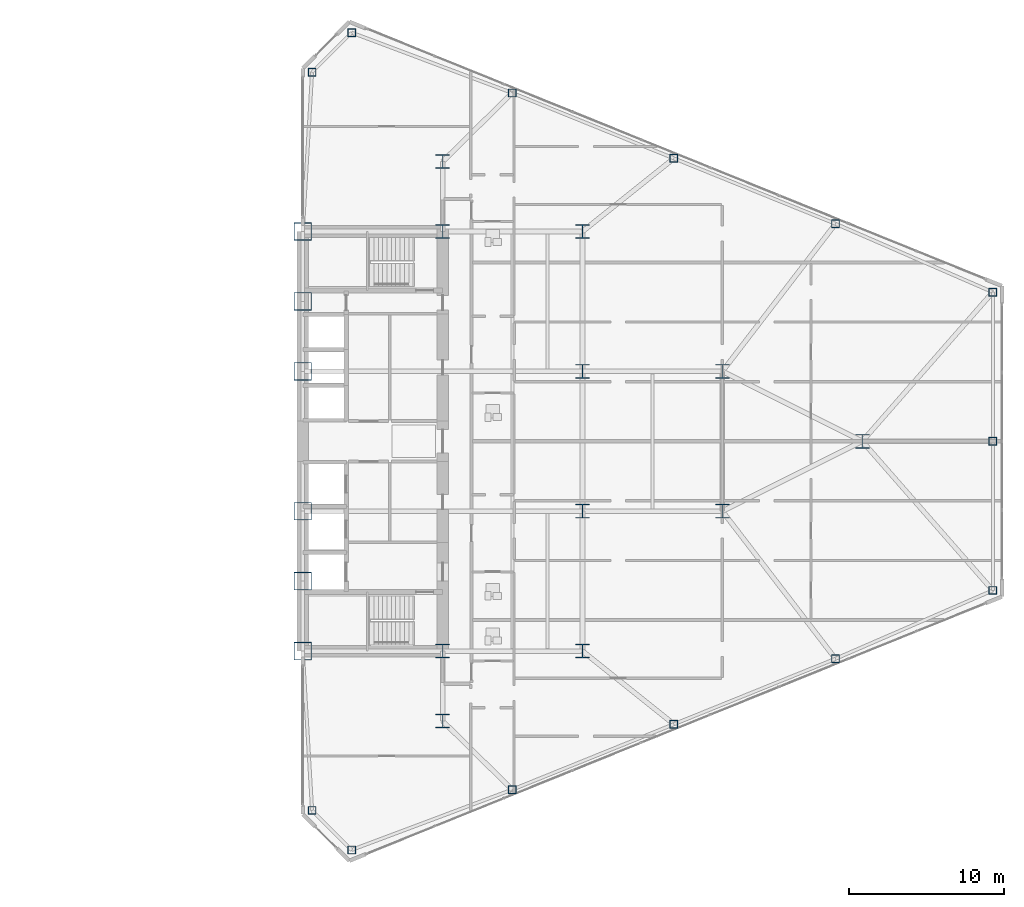
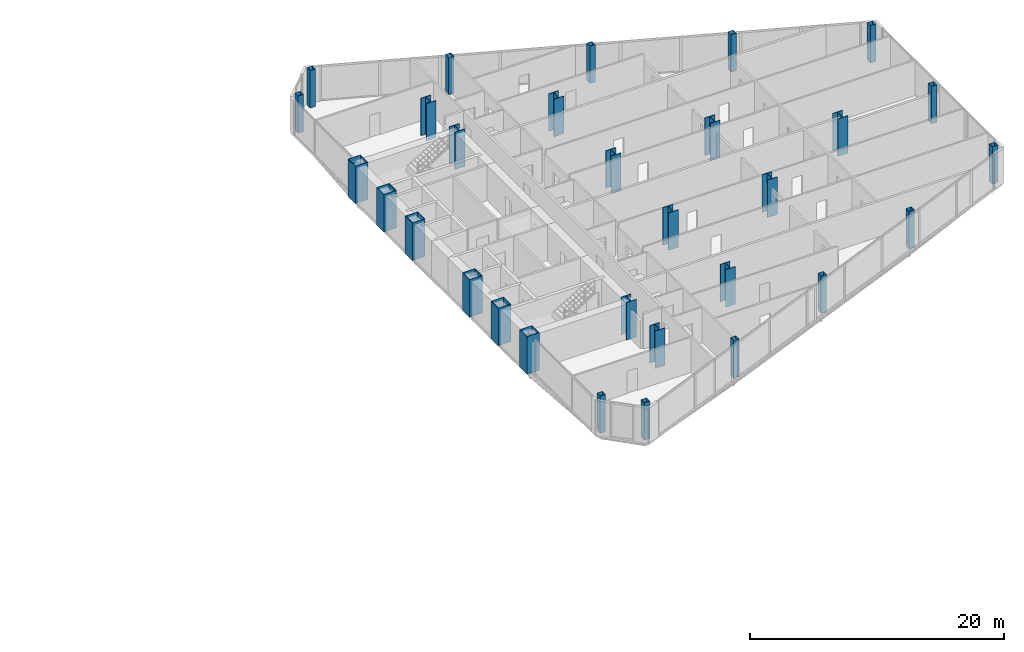
# One storey, part 2 of 25: 30 columns.
"""IFC4 building model written with IfcOpenShell, lengths in metres."""

import ifcopenshell
import ifcopenshell.guid

model = None  # the IFC model being written
_history = None  # IfcOwnerHistory: only IFC2X3 demands one
_inside = {}  # id of a spatial element -> (the spatial element, [elements in it])
_under = {}  # id of a project, library or spatial element -> (it, [spatial elements below it])
_declared = {}  # id of a project -> (the project, [libraries it declares])
_typed = {}  # id of a type object -> (the type object, [elements of that type])
_made_of = {}  # id of a material, layer set ... -> (it, [elements and type objects made of it])


def new_model(schema):
    """Start an empty IFC model of exactly this schema.

    Asked for "IFC4X3", IfcOpenShell would pick the latest addendum, in which some entities
    have other attributes; the version numbers below select the first issue.
    IFC2X3 requires an IfcOwnerHistory on every rooted entity: one is made here for all.
    """
    global model, _history
    if schema == "IFC4X3":
        model = ifcopenshell.file(schema_version=(4, 3, 0, 0))
    else:
        model = ifcopenshell.file(schema=schema)
    _inside.clear()
    _under.clear()
    _declared.clear()
    _typed.clear()
    _made_of.clear()
    _history = None
    if model.schema == "IFC2X3":
        org = make("IfcOrganization", Name="unknown")
        user = make(
            "IfcPersonAndOrganization",
            ThePerson=make("IfcPerson", FamilyName="unknown"),
            TheOrganization=org,
        )
        app = make(
            "IfcApplication",
            ApplicationDeveloper=org,
            Version="unknown",
            ApplicationFullName="unknown",
            ApplicationIdentifier="unknown",
        )
        _history = make(
            "IfcOwnerHistory",
            OwningUser=user,
            OwningApplication=app,
            ChangeAction="ADDED",
            CreationDate=0,
        )
    return model


def make(cls, **values):
    """One entity of the class cls with the attributes given. An attribute that is None is left unset."""
    return model.create_entity(
        cls, **{name: value for name, value in values.items() if value is not None}
    )


def rooted(cls, **values):
    """An entity with a GlobalId (a new one), such as an element, a storey or a relation."""
    return make(cls, GlobalId=ifcopenshell.guid.new(), OwnerHistory=_history, **values)


def si_unit(unit_type, name, prefix=None):
    """IfcSIUnit, for example si_unit("LENGTHUNIT", "METRE", prefix="MILLI")."""
    return make("IfcSIUnit", UnitType=unit_type, Prefix=prefix, Name=name)


def assignment(units):
    """IfcUnitAssignment: the units of a project."""
    return None if units is None else make("IfcUnitAssignment", Units=units)


def point(xyz):
    """IfcCartesianPoint."""
    return None if xyz is None else make("IfcCartesianPoint", Coordinates=xyz)


def direction(xyz):
    """IfcDirection."""
    return None if xyz is None else make("IfcDirection", DirectionRatios=xyz)


def frame(location, z_axis=None, x_axis=None):
    """IfcAxis2Placement3D, a coordinate frame: its origin and axes. An axis left out is left unset."""
    return make(
        "IfcAxis2Placement3D",
        Location=point(location),
        Axis=direction(z_axis),
        RefDirection=direction(x_axis),
    )


def frame_2d(location, x_axis=None):
    """IfcAxis2Placement2D, a coordinate frame in the plane: its origin and x axis."""
    return make(
        "IfcAxis2Placement2D", Location=point(location), RefDirection=direction(x_axis)
    )


def origin():
    """The frame at (0, 0, 0) with its axes left unset."""
    return frame((0.0, 0.0, 0.0))


def origin_2d():
    """The frame at (0, 0) in the plane with its x axis left unset."""
    return frame_2d((0.0, 0.0))


def place(relative_to, where):
    """IfcLocalPlacement: puts the frame where relative to a parent placement (None: the world)."""
    return make(
        "IfcLocalPlacement", PlacementRelTo=relative_to, RelativePlacement=where
    )


def context(
    kind, dimensions, precision=None, world=None, true_north=None, identifier=None
):
    """IfcGeometricRepresentationContext, for example the 3D "Model" context."""
    return make(
        "IfcGeometricRepresentationContext",
        ContextIdentifier=identifier,
        ContextType=kind,
        CoordinateSpaceDimension=dimensions,
        Precision=precision,
        WorldCoordinateSystem=world,
        TrueNorth=true_north,
    )


def subcontext(parent, identifier, kind, view, scale=None):
    """IfcGeometricRepresentationSubContext, for example "Body" below "Model"."""
    return make(
        "IfcGeometricRepresentationSubContext",
        ContextIdentifier=identifier,
        ContextType=kind,
        ParentContext=parent,
        TargetScale=scale,
        TargetView=view,
    )


def project(units=None, contexts=None):
    """IfcProject with its units and contexts."""
    return rooted(
        "IfcProject",
        Name="project",
        RepresentationContexts=contexts,
        UnitsInContext=assignment(units),
    )


def spatial(cls, under=None, at=None, **own):
    """A site, building, storey or space (cls), placed at a placement, below another one or the project."""
    s = rooted(cls, ObjectPlacement=at, **own)
    if under is not None:
        _under.setdefault(under.id(), (under, []))[1].append(s)
    return s


def profile(cls, at=None, kind="AREA", **sizes):
    """A parametric profile (cls). Its sizes go by their IFC names, for example OverallWidth=200.0."""
    return make(cls, ProfileType=kind, Position=at, **sizes)


def hollow_rectangle(**sizes):
    """IfcRectangleHollowProfileDef."""
    return profile("IfcRectangleHollowProfileDef", **sizes)


def i_section(**sizes):
    """IfcIShapeProfileDef."""
    return profile("IfcIShapeProfileDef", **sizes)


def extrude(swept, where, along, depth):
    """IfcExtrudedAreaSolid: the profile swept, set in the frame where, extruded along a direction by depth."""
    return make(
        "IfcExtrudedAreaSolid",
        SweptArea=swept,
        Position=where,
        ExtrudedDirection=direction(along),
        Depth=depth,
    )


def shape(context_of_items, identifier, shape_type, items):
    """IfcShapeRepresentation: the items that make up one representation, for example the "Body"."""
    return make(
        "IfcShapeRepresentation",
        ContextOfItems=context_of_items,
        RepresentationIdentifier=identifier,
        RepresentationType=shape_type,
        Items=items,
    )


def source(mapping_origin, context_of_items, identifier, shape_type, items):
    """IfcRepresentationMap: a shape defined once, which mapped items show again and again."""
    return make(
        "IfcRepresentationMap",
        MappingOrigin=mapping_origin,
        MappedRepresentation=shape(context_of_items, identifier, shape_type, items),
    )


def transform(
    local_origin,
    x_axis=None,
    y_axis=None,
    z_axis=None,
    scale=None,
    scale2=None,
    scale3=None,
    uniform=True,
):
    """IfcCartesianTransformationOperator3D, or its non-uniform kind. x_axis, y_axis, z_axis: its Axis1, 2, 3."""
    if uniform:
        return make(
            "IfcCartesianTransformationOperator3D",
            Axis1=direction(x_axis),
            Axis2=direction(y_axis),
            LocalOrigin=point(local_origin),
            Scale=scale,
            Axis3=direction(z_axis),
        )
    return make(
        "IfcCartesianTransformationOperator3DnonUniform",
        Axis1=direction(x_axis),
        Axis2=direction(y_axis),
        LocalOrigin=point(local_origin),
        Scale=scale,
        Axis3=direction(z_axis),
        Scale2=scale2,
        Scale3=scale3,
    )


def mapped(mapping_source, mapping_target):
    """IfcMappedItem: shows the shape of a source again, moved by a transform."""
    return make(
        "IfcMappedItem", MappingSource=mapping_source, MappingTarget=mapping_target
    )


def material(Name=None, Category=None):
    """IfcMaterial."""
    return make("IfcMaterial", Name=Name, Category=Category)


def material_profile(
    of_material, cross_section, Name=None, Category=None, Priority=None
):
    """IfcMaterialProfile: a cross section and its material."""
    return make(
        "IfcMaterialProfile",
        Name=Name,
        Material=of_material,
        Profile=cross_section,
        Priority=Priority,
        Category=Category,
    )


def profile_set(profiles, Name=None, composite=None):
    """IfcMaterialProfileSet."""
    return make(
        "IfcMaterialProfileSet",
        Name=Name,
        MaterialProfiles=profiles,
        CompositeProfile=composite,
    )


def made_of(thing, what):
    """Note that an element or type object is made of a material, layer set ...; save() writes the relation."""
    if what is not None:
        _made_of.setdefault(what.id(), (what, []))[1].append(thing)
    return thing


def type_object(cls, material=None, **own):
    """A type object (cls), such as IfcWallType, which elements share."""
    return made_of(rooted(cls, **own), material)


def type_shapes(of_type, sources):
    """Give a type object the sources (RepresentationMaps) that its elements show as mapped items."""
    of_type.RepresentationMaps = sources


def element(
    cls,
    number,
    at=None,
    inside=None,
    cuts=None,
    type_object=None,
    material=None,
    context=None,
    identifier="Body",
    shape_type=None,
    held_by="IfcProductDefinitionShape",
    body=None,
    shapes=None,
    **own,
):
    """One element of the class cls, such as IfcWall. Its Tag is "e" and its number.

    at: its placement. inside: the storey or other place that contains it. cuts: it is an
    opening in that element (IfcRelVoidsElement). A single representation is given by context,
    identifier, shape_type and body (its items); several are given by shapes. held_by: the class
    of the entity that holds the representations. save() writes the other relations.
    """
    e = rooted(cls, Tag="e%d" % number, ObjectPlacement=at, **own)
    if body is not None:
        shapes = [shape(context, identifier, shape_type, body)]
    if shapes is not None:
        e.Representation = make(held_by, Representations=shapes)
    if inside is not None:
        _inside.setdefault(inside.id(), (inside, []))[1].append(e)
    if cuts is not None:
        rooted(
            "IfcRelVoidsElement", RelatingBuildingElement=cuts, RelatedOpeningElement=e
        )
    if type_object is not None:
        _typed.setdefault(type_object.id(), (type_object, []))[1].append(e)
    return made_of(e, material)


def aggregate(whole, parts):
    """IfcRelAggregates: a whole, such as a stair, and the parts it consists of."""
    return rooted("IfcRelAggregates", RelatingObject=whole, RelatedObjects=parts)


def save(model, path):
    """Write the relations noted so far, then the file.

    IfcRelAggregates (storeys below a building ...), IfcRelContainedInSpatialStructure (elements
    in a storey), IfcRelDefinesByType, IfcRelAssociatesMaterial and IfcRelDeclares: one each for
    every whole, place, type object, material and project.
    """
    for whole, parts in _under.values():
        aggregate(whole, parts)
    for where, things in _inside.values():
        rooted(
            "IfcRelContainedInSpatialStructure",
            RelatedElements=things,
            RelatingStructure=where,
        )
    for kind, things in _typed.values():
        rooted("IfcRelDefinesByType", RelatedObjects=things, RelatingType=kind)
    for what, things in _made_of.values():
        rooted("IfcRelAssociatesMaterial", RelatedObjects=things, RelatingMaterial=what)
    for by, libraries in _declared.values():
        rooted("IfcRelDeclares", RelatingContext=by, RelatedDefinitions=libraries)
    model.write(path)


model = new_model("IFC4")

# Units and contexts
model_context = context("Model", 3, precision=1e-05, world=origin(), true_north=direction((0.0, 1.0)))
body_context = subcontext(model_context, "Body", "Model", "MODEL_VIEW")
ifc_project = project(units=[si_unit("LENGTHUNIT", "METRE"), si_unit("AREAUNIT", "SQUARE_METRE"), si_unit("VOLUMEUNIT", "CUBIC_METRE"), si_unit("PLANEANGLEUNIT", "RADIAN"), si_unit("MASSUNIT", "GRAM", prefix="KILO")], contexts=[model_context])

# Site, building, storey
site_placement = place(None, origin())
site = spatial("IfcSite", under=ifc_project, at=site_placement, CompositionType="ELEMENT")
building_placement = place(site_placement, origin())
building = spatial("IfcBuilding", under=site, at=building_placement, Name="Seokmaru Belvedere", CompositionType="ELEMENT")
storey_placement = place(building_placement, frame((0.0, 0.0, 40.5)))
storey = spatial("IfcBuildingStorey", under=building, at=storey_placement, Name="L10", CompositionType="ELEMENT", Elevation=40.5)

# Columns
ifc_material_1 = material(Name="Steel HSA650 (650 MPa)", Category="steel")
ifc_material_profile_1 = material_profile(ifc_material_1, hollow_rectangle(XDim=1.14990234375, YDim=1.14990234375, WallThickness=0.048095703125, at=origin_2d()), Name="BOX-1150x1150x48")
ifc_profile_set_1 = profile_set([ifc_material_profile_1], Name="Steel HSA650 (650 MPa)")
column_type_1 = type_object("IfcColumnType", Name="Portal Spine Column BOX-1150", PredefinedType="COLUMN", material=ifc_profile_set_1)
shared_shape_1 = source(origin(), body_context, "Body", "SweptSolid", [
    extrude(hollow_rectangle(XDim=1.14990234375, YDim=1.14990234375, WallThickness=0.048095703125, at=origin_2d()), origin(), (0.0, 0.0, 1.0), 3.60009765625),
])
type_shapes(column_type_1, [shared_shape_1])
for number, where, z_axis, x_axis, name in (
    (1, (27.5, -13.5, 0.0), (0.0, 0.0, 1.0), (1.0, 0.0, 0.0), "L10 Column ES1"),
    (2, (27.5, -9.0, 0.0), (0.0, 0.0, 1.0), (1.0, 0.0, 0.0), "L10 Column ES2"),
    (3, (27.5, -4.5, 0.0), (0.0, 0.0, 1.0), (1.0, 0.0, 0.0), "L10 Column ES3"),
    (4, (27.5, 4.5, 0.0), (0.0, 0.0, 1.0), (1.0, 0.0, 0.0), "L10 Column ES4"),
    (5, (27.5, 9.0, 0.0), (0.0, 0.0, 1.0), (1.0, 0.0, 0.0), "L10 Column ES5"),
    (6, (27.5, 13.5, 0.0), (0.0, 0.0, 1.0), (1.0, 0.0, 0.0), "L10 Column ES6"),
):
    element("IfcColumn", number, at=place(storey_placement, frame(where, z_axis=z_axis, x_axis=x_axis)), inside=storey, type_object=column_type_1, Name=name, PredefinedType="COLUMN", context=body_context, shape_type="MappedRepresentation", body=[
        mapped(shared_shape_1, transform((0.0, 0.0, 0.0), scale=1.0)),
    ])
ifc_material_profile_2 = material_profile(ifc_material_1, i_section(OverallWidth=0.89990234375, OverallDepth=0.89990234375, WebThickness=0.035888671875, FlangeThickness=0.054931640625, at=origin_2d()), Name="H-900x900x36x55")
ifc_profile_set_2 = profile_set([ifc_material_profile_2], Name="Steel HSA650 (650 MPa)")
column_type_2 = type_object("IfcColumnType", Name="Lower Interior Column H-900", PredefinedType="COLUMN", material=ifc_profile_set_2)
shared_shape_2 = source(origin(), body_context, "Body", "SweptSolid", [
    extrude(i_section(OverallWidth=0.89990234375, OverallDepth=0.89990234375, WebThickness=0.035888671875, FlangeThickness=0.054931640625, at=origin_2d()), origin(), (0.0, 0.0, 1.0), 3.60009765625),
])
type_shapes(column_type_2, [shared_shape_2])
for number, where, z_axis, x_axis, name in (
    (7, (36.5, -18.0, 0.0), (0.0, 0.0, 1.0), (1.0, 0.0, 0.0), "L10 Column EC1"),
    (8, (36.5, -13.5, 0.0), (0.0, 0.0, 1.0), (1.0, 0.0, 0.0), "L10 Column EC2"),
    (9, (36.5, 13.5, 0.0), (0.0, 0.0, 1.0), (1.0, 0.0, 0.0), "L10 Column EC3"),
    (10, (36.5, 18.0, 0.0), (0.0, 0.0, 1.0), (1.0, 0.0, 0.0), "L10 Column EC4"),
    (11, (45.5, -13.5, 0.0), (0.0, 0.0, 1.0), (1.0, 0.0, 0.0), "L10 Column EG5_1"),
    (12, (45.5, -4.5, 0.0), (0.0, 0.0, 1.0), (1.0, 0.0, 0.0), "L10 Column EG5_2"),
    (13, (45.5, 4.5, 0.0), (0.0, 0.0, 1.0), (1.0, 0.0, 0.0), "L10 Column EG5_3"),
    (14, (45.5, 13.5, 0.0), (0.0, 0.0, 1.0), (1.0, 0.0, 0.0), "L10 Column EG5_4"),
    (15, (54.5, -4.5, 0.0), (0.0, 0.0, 1.0), (1.0, 0.0, 0.0), "L10 Column EG4P_1"),
    (16, (54.5, 4.5, 0.0), (0.0, 0.0, 1.0), (1.0, 0.0, 0.0), "L10 Column EG4P_2"),
    (17, (63.5, 0.0, 0.0), (0.0, 0.0, 1.0), (1.0, 0.0, 0.0), "L10 Column EG3P_1"),
):
    element("IfcColumn", number, at=place(storey_placement, frame(where, z_axis=z_axis, x_axis=x_axis)), inside=storey, type_object=column_type_2, Name=name, PredefinedType="COLUMN", context=body_context, shape_type="MappedRepresentation", body=[
        mapped(shared_shape_2, transform((0.0, 0.0, 0.0), scale=1.0)),
    ])
ifc_material_2 = material(Name="Steel SM355 (355 MPa)", Category="steel")
ifc_material_profile_3 = material_profile(ifc_material_2, hollow_rectangle(XDim=0.5, YDim=0.5, WallThickness=0.02001953125, at=origin_2d()), Name="HSS-500x500x20")
ifc_profile_set_3 = profile_set([ifc_material_profile_3], Name="Steel SM355 (355 MPa)")
column_type_3 = type_object("IfcColumnType", Name="Perimeter Facet Column HSS-500", PredefinedType="COLUMN", material=ifc_profile_set_3)
shared_shape_3 = source(origin(), body_context, "Body", "SweptSolid", [
    extrude(hollow_rectangle(XDim=0.5, YDim=0.5, WallThickness=0.02001953125, at=origin_2d()), origin(), (0.0, 0.0, 1.0), 3.60009765625),
])
type_shapes(column_type_3, [shared_shape_3])
for number, where, z_axis, x_axis, name in (
    (18, (30.643310546875, -26.294677734375, 0.0), (0.0, 0.0, 1.0), (1.0, 0.0, 0.0), "L10 Column EF1"),
    (19, (71.89990234375, -9.595703125, 0.0), (0.0, 0.0, 1.0), (1.0, 0.0, 0.0), "L10 Column EF2"),
    (20, (71.89990234375, 9.595703125, 0.0), (0.0, 0.0, 1.0), (1.0, 0.0, 0.0), "L10 Column EF3"),
    (21, (30.643310546875, 26.294677734375, 0.0), (0.0, 0.0, 1.0), (1.0, 0.0, 0.0), "L10 Column EF4"),
    (22, (28.10009765625, 23.75146484375, 0.0), (0.0, 0.0, 1.0), (1.0, 0.0, 0.0), "L10 Column EF5"),
    (23, (28.10009765625, -23.75146484375, 0.0), (0.0, 0.0, 1.0), (1.0, 0.0, 0.0), "L10 Column EF6"),
    (24, (40.977294921875, -22.4140625, 0.0), (0.0, 0.0, 1.0), (1.0, 0.0, 0.0), "L10 Column EFLK_S1"),
    (25, (51.378173828125, -18.2041015625, 0.0), (0.0, 0.0, 1.0), (1.0, 0.0, 0.0), "L10 Column EFLK_S2"),
    (26, (61.779052734375, -13.994140625, 0.0), (0.0, 0.0, 1.0), (1.0, 0.0, 0.0), "L10 Column EFLK_S3"),
    (27, (40.977294921875, 22.4140625, 0.0), (0.0, 0.0, 1.0), (1.0, 0.0, 0.0), "L10 Column EFLK_N1"),
    (28, (51.378173828125, 18.2041015625, 0.0), (0.0, 0.0, 1.0), (1.0, 0.0, 0.0), "L10 Column EFLK_N2"),
    (29, (61.779052734375, 13.994140625, 0.0), (0.0, 0.0, 1.0), (1.0, 0.0, 0.0), "L10 Column EFLK_N3"),
    (30, (71.89990234375, 0.0, 0.0), (0.0, 0.0, 1.0), (1.0, 0.0, 0.0), "L10 Column EF_APXM"),
):
    element("IfcColumn", number, at=place(storey_placement, frame(where, z_axis=z_axis, x_axis=x_axis)), inside=storey, type_object=column_type_3, Name=name, PredefinedType="COLUMN", context=body_context, shape_type="MappedRepresentation", body=[
        mapped(shared_shape_3, transform((0.0, 0.0, 0.0), scale=1.0)),
    ])

save(model, "model.ifc")
